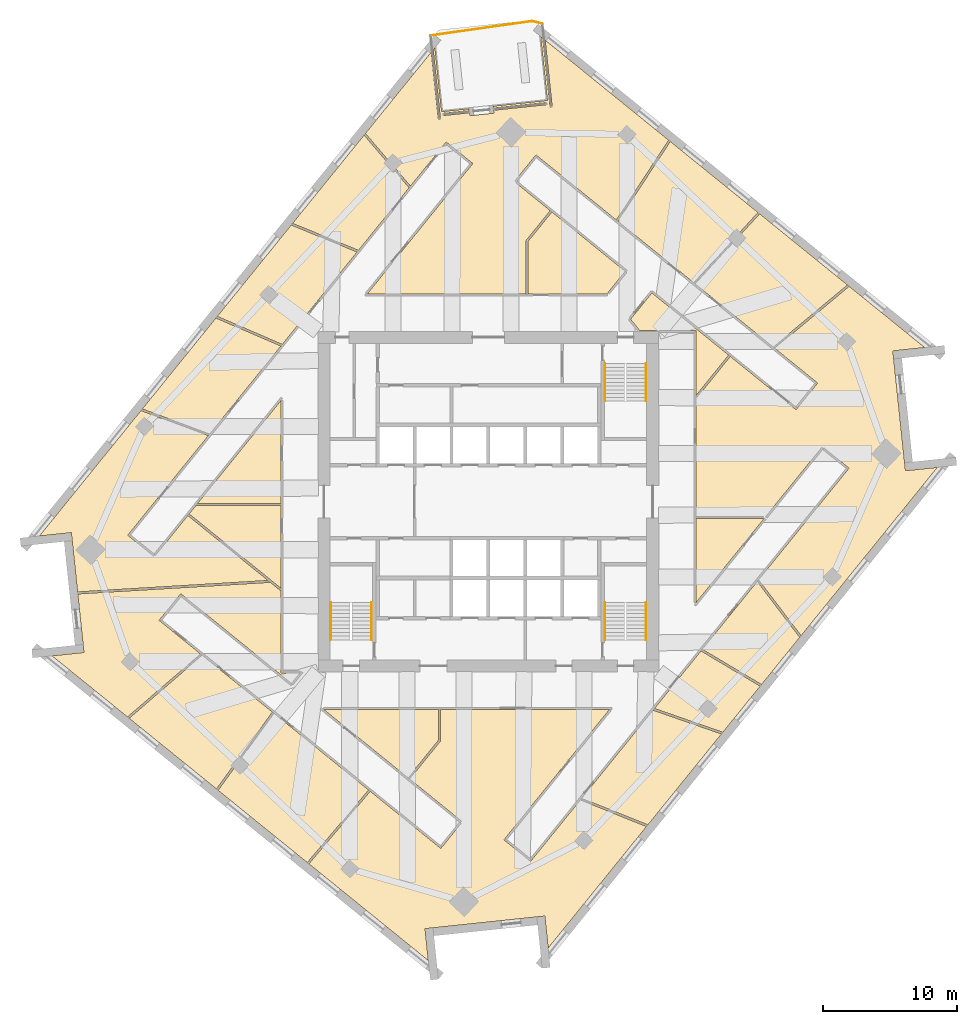
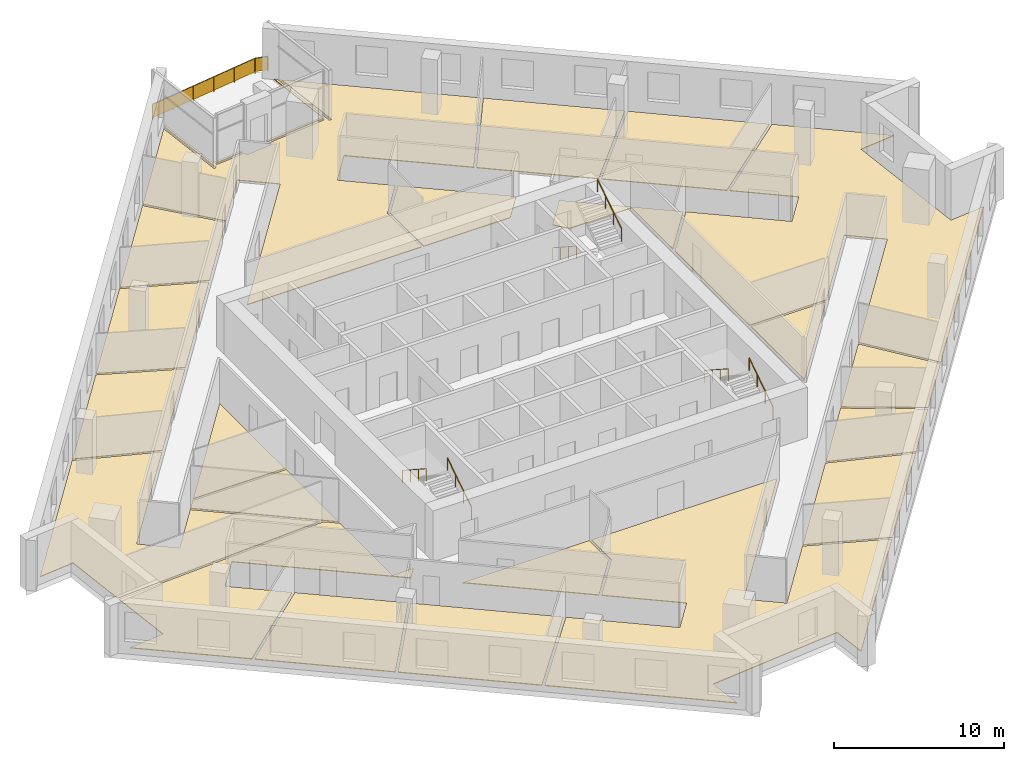
# One storey, part 13 of 14: 21 coverings, 7 railings.
"""IFC4 building model written with IfcOpenShell, lengths in metres."""

from ifc_helpers import new_model, si_unit, direction, frame, origin, origin_2d, place, context, subcontext, project, spatial, polyline, rectangle, circle, outline, extrude, material, layer, layer_set, type_object, element, save


model = new_model("IFC4")

# Units and contexts
model_context = context("Model", 3, precision=1e-05, world=origin(), true_north=direction((0.0, 1.0)))
body_context = subcontext(model_context, "Body", "Model", "MODEL_VIEW")
ifc_project = project(units=[si_unit("LENGTHUNIT", "METRE"), si_unit("AREAUNIT", "SQUARE_METRE"), si_unit("VOLUMEUNIT", "CUBIC_METRE"), si_unit("PLANEANGLEUNIT", "RADIAN"), si_unit("MASSUNIT", "GRAM", prefix="KILO")], contexts=[model_context])

# Site, building, storey
site_placement = place(None, origin())
site = spatial("IfcSite", under=ifc_project, at=site_placement, CompositionType="ELEMENT")
building_placement = place(site_placement, origin())
building = spatial("IfcBuilding", under=site, at=building_placement, Name="Dilmun Exchange Tower", CompositionType="ELEMENT")
storey_placement = place(building_placement, frame((0.0, 0.0, 233.300048828125)))
storey = spatial("IfcBuildingStorey", under=building, at=storey_placement, Name="L55", CompositionType="ELEMENT", Elevation=233.300048828125)

# Coverings
ifc_material_1 = material(Name="Carpet floor finish 50")
ifc_layer_1 = layer(ifc_material_1, 0.050048828125)
ifc_layer_set_1 = layer_set([ifc_layer_1], Name="Carpet floor finish 50")
covering_type_1 = type_object("IfcCoveringType", Name="Carpet floor finish 50", PredefinedType="FLOORING", material=ifc_layer_set_1)
covering_1_placement = place(storey_placement, origin())
element("IfcCovering", 1, at=covering_1_placement, inside=storey, type_object=covering_type_1, Name="Carpet floor finish 50 Business centre 1", PredefinedType="FLOORING", context=body_context, shape_type="SweptSolid", body=[
    extrude(outline(polyline([(-22.40185546875, -1.026611328125), (-16.419189453125, -5.871337890625), (-30.6181640625, -6.72509765625), (-31.01953125, -2.905029296875), (-31.01953125, -2.90478515625), (-31.01953125, -2.90478515625), (-31.08251953125, -2.30810546875), (-31.08251953125, -2.307861328125), (-31.08251953125, -2.3076171875), (-31.08251953125, -2.3076171875), (-31.08251953125, -2.307373046875), (-31.082763671875, -2.30712890625), (-31.082763671875, -2.306884765625), (-31.0830078125, -2.306884765625), (-31.0830078125, -2.306640625), (-31.083251953125, -2.306640625), (-31.08349609375, -2.306396484375), (-31.08349609375, -2.306396484375), (-31.083740234375, -2.306396484375), (-31.083984375, -2.306396484375), (-31.084228515625, -2.306396484375), (-31.08447265625, -2.30615234375), (-31.084716796875, -2.306396484375), (-33.464599609375, -2.556396484375), (-25.89453125, 6.791748046875), (-20.8671875, 4.920654296875), (-26.87451171875, -2.497802734375), (-24.892822265625, -4.102783203125), (-22.40185546875, -1.026611328125)])), origin(), (0.0, 0.0, 1.0), 0.050048828125),
])
covering_2_placement = place(storey_placement, origin())
element("IfcCovering", 2, at=covering_2_placement, inside=storey, type_object=covering_type_1, Name="Carpet floor finish 50 Club dining room", PredefinedType="FLOORING", context=body_context, shape_type="SweptSolid", body=[
    extrude(outline(polyline([(-16.24658203125, -6.01123046875), (-15.47509765625, -6.635986328125), (-15.47509765625, -12.774658203125), (-14.048095703125, -12.77490234375), (-14.674072265625, -13.548095703125), (-22.93310546875, -6.860107421875), (-24.53759765625, -8.841796875), (-21.4453125, -11.34619140625), (-26.896240234375, -16.048095703125), (-32.525634765625, -11.489501953125), (-30.1455078125, -11.2392578125), (-30.1455078125, -11.2392578125), (-30.145263671875, -11.2392578125), (-30.14501953125, -11.239013671875), (-30.14501953125, -11.239013671875), (-30.144775390625, -11.239013671875), (-30.14453125, -11.23876953125), (-30.144287109375, -11.23876953125), (-30.144287109375, -11.238525390625), (-30.144287109375, -11.23828125), (-30.14404296875, -11.23828125), (-30.14404296875, -11.238037109375), (-30.143798828125, -11.23779296875), (-30.143798828125, -11.237548828125), (-30.143798828125, -11.2373046875), (-30.143798828125, -11.2373046875), (-30.143798828125, -11.237060546875), (-30.20654296875, -10.640625), (-30.20654296875, -10.640380859375), (-30.20654296875, -10.640380859375), (-30.602294921875, -6.87451171875), (-16.24658203125, -6.01123046875)])), origin(), (0.0, 0.0, 1.0), 0.050048828125),
])
covering_3_placement = place(storey_placement, origin())
element("IfcCovering", 3, at=covering_3_placement, inside=storey, type_object=covering_type_1, Name="Carpet floor finish 50 Serviced office 1", PredefinedType="FLOORING", context=body_context, shape_type="SweptSolid", body=[
    extrude(outline(polyline([(-20.2666015625, -21.41650390625), (-26.77783203125, -16.143798828125), (-21.32666015625, -11.44189453125), (-16.093505859375, -15.679931640625), (-20.2666015625, -21.41650390625)])), origin(), (0.0, 0.0, 1.0), 0.050048828125),
])
covering_4_placement = place(storey_placement, origin())
element("IfcCovering", 4, at=covering_4_placement, inside=storey, type_object=covering_type_1, Name="Carpet floor finish 50 Serviced office 2", PredefinedType="FLOORING", context=body_context, shape_type="SweptSolid", body=[
    extrude(outline(polyline([(-20.767578125, 5.043701171875), (-25.794921875, 6.914794921875), (-20.307861328125, 13.69091796875), (-15.459228515625, 11.5986328125), (-20.767578125, 5.043701171875)])), origin(), (0.0, 0.0, 1.0), 0.050048828125),
])
covering_5_placement = place(storey_placement, origin())
element("IfcCovering", 5, at=covering_5_placement, inside=storey, type_object=covering_type_1, Name="Carpet floor finish 50 Serviced office 3", PredefinedType="FLOORING", context=body_context, shape_type="SweptSolid", body=[
    extrude(outline(polyline([(-15.47509765625, -6.443115234375), (-22.3076171875, -0.91015625), (-21.80615234375, -0.291015625), (-15.47509765625, -0.291015625), (-15.47509765625, -6.443115234375)])), origin(), (0.0, 0.0, 1.0), 0.050048828125),
])
covering_6_placement = place(storey_placement, origin())
element("IfcCovering", 6, at=covering_6_placement, inside=storey, type_object=covering_type_1, Name="Carpet floor finish 50 Serviced office 4", PredefinedType="FLOORING", context=body_context, shape_type="SweptSolid", body=[
    extrude(outline(polyline([(-15.361328125, 11.7197265625), (-20.209716796875, 13.811767578125), (-14.694091796875, 20.623046875), (-9.782470703125, 18.60888671875), (-15.361328125, 11.7197265625)])), origin(), (0.0, 0.0, 1.0), 0.050048828125),
])
covering_7_placement = place(storey_placement, origin())
element("IfcCovering", 7, at=covering_7_placement, inside=storey, type_object=covering_type_1, Name="Carpet floor finish 50 Meeting room 1", PredefinedType="FLOORING", context=body_context, shape_type="SweptSolid", body=[
    extrude(outline(polyline([(-15.976806640625, -15.7744140625), (-8.922607421875, -21.486572265625), (-13.497802734375, -26.897705078125), (-20.14990234375, -21.510986328125), (-15.976806640625, -15.7744140625)])), origin(), (0.0, 0.0, 1.0), 0.050048828125),
])
covering_8_placement = place(storey_placement, origin())
element("IfcCovering", 8, at=covering_8_placement, inside=storey, type_object=covering_type_1, Name="Carpet floor finish 50 Serviced office 5", PredefinedType="FLOORING", context=body_context, shape_type="SweptSolid", body=[
    extrude(outline(polyline([(-3.705810546875, -17.7626953125), (-5.98828125, -20.58154296875), (-12.29443359375, -15.47509765625), (-3.705810546875, -15.47509765625), (-3.705810546875, -17.7626953125)])), origin(), (0.0, 0.0, 1.0), 0.050048828125),
])
covering_9_placement = place(storey_placement, origin())
element("IfcCovering", 9, at=covering_9_placement, inside=storey, type_object=covering_type_1, Name="Carpet floor finish 50 Members lounge", PredefinedType="FLOORING", context=body_context, shape_type="SweptSolid", body=[
    extrude(outline(polyline([(-3.5556640625, -15.47509765625), (9.0390625, -15.47509765625), (1.16259765625, -25.201904296875), (3.144287109375, -26.806640625), (6.8515625, -22.228271484375), (11.7890625, -24.21044921875), (4.45703125, -33.264892578125), (4.206787109375, -30.884765625), (4.206787109375, -30.884521484375), (4.206787109375, -30.884521484375), (4.206787109375, -30.88427734375), (4.206787109375, -30.884033203125), (4.20654296875, -30.8837890625), (4.20654296875, -30.8837890625), (4.206298828125, -30.883544921875), (4.206298828125, -30.883544921875), (4.2060546875, -30.88330078125), (4.205810546875, -30.88330078125), (4.205810546875, -30.88330078125), (4.20556640625, -30.883056640625), (4.205322265625, -30.883056640625), (4.205078125, -30.883056640625), (4.204833984375, -30.883056640625), (4.20458984375, -30.883056640625), (3.60791015625, -30.94580078125), (-4.127685546875, -31.7587890625), (-4.724365234375, -31.821533203125), (-4.724609375, -31.821533203125), (-4.724609375, -31.821533203125), (-4.724853515625, -31.821533203125), (-4.72509765625, -31.82177734375), (-4.72509765625, -31.82177734375), (-4.725341796875, -31.822021484375), (-4.7255859375, -31.822021484375), (-4.7255859375, -31.822265625), (-4.7255859375, -31.822509765625), (-4.725830078125, -31.822509765625), (-4.725830078125, -31.82275390625), (-4.72607421875, -31.822998046875), (-4.72607421875, -31.822998046875), (-4.72607421875, -31.8232421875), (-4.72607421875, -31.823486328125), (-4.72607421875, -31.82373046875), (-4.475830078125, -34.20361328125), (-13.38134765625, -26.9921875), (-8.80615234375, -21.5810546875), (-3.546630859375, -25.840087890625), (-1.94189453125, -23.8583984375), (-5.87158203125, -20.676025390625), (-3.5556640625, -17.81591796875), (-3.5556640625, -15.47509765625)])), origin(), (0.0, 0.0, 1.0), 0.050048828125),
])
covering_10_placement = place(storey_placement, origin())
element("IfcCovering", 10, at=covering_10_placement, inside=storey, type_object=covering_type_1, Name="Carpet floor finish 50 Garden lounge", PredefinedType="FLOORING", context=body_context, shape_type="SweptSolid", body=[
    extrude(outline(polyline([(-3.48681640625, 29.0751953125), (-1.43603515625, 29.290771484375), (-1.421142578125, 29.1484375), (-3.397216796875, 28.94091796875), (-3.3974609375, 28.940673828125), (-3.397705078125, 28.940673828125), (-3.397705078125, 28.940673828125), (-3.39794921875, 28.9404296875), (-3.398193359375, 28.9404296875), (-3.398193359375, 28.940185546875), (-3.3984375, 28.940185546875), (-3.398681640625, 28.93994140625), (-3.398681640625, 28.93994140625), (-3.398681640625, 28.939697265625), (-3.39892578125, 28.939453125), (-3.39892578125, 28.939208984375), (-3.39892578125, 28.939208984375), (-3.399169921875, 28.93896484375), (-3.399169921875, 28.938720703125), (-3.399169921875, 28.938720703125), (-3.38232421875, 28.779296875), (-3.38232421875, 28.779296875), (-3.382080078125, 28.779052734375), (-3.382080078125, 28.77880859375), (-3.382080078125, 28.77880859375), (-3.382080078125, 28.778564453125), (-3.3818359375, 28.7783203125), (-3.381591796875, 28.7783203125), (-3.381591796875, 28.778076171875), (-3.38134765625, 28.778076171875), (-3.38134765625, 28.77783203125), (-3.381103515625, 28.77783203125), (-3.380859375, 28.777587890625), (-3.380615234375, 28.777587890625), (-3.380615234375, 28.777587890625), (-3.38037109375, 28.777587890625), (-3.380126953125, 28.777587890625), (-1.40380859375, 28.9853515625), (-1.381103515625, 28.7685546875), (-1.381103515625, 28.768310546875), (-1.381103515625, 28.768310546875), (-1.381103515625, 28.76806640625), (-1.380859375, 28.767822265625), (-1.380859375, 28.767578125), (-1.380615234375, 28.767578125), (-1.380615234375, 28.767333984375), (-1.38037109375, 28.76708984375), (-1.380126953125, 28.76708984375), (-1.380126953125, 28.76708984375), (-1.3798828125, 28.766845703125), (-1.379638671875, 28.766845703125), (-1.37939453125, 28.766845703125), (-1.37939453125, 28.766845703125), (-1.379150390625, 28.7666015625), (-1.37890625, 28.766845703125), (0.4111328125, 28.955078125), (0.411376953125, 28.955078125), (0.41162109375, 28.955078125), (0.41162109375, 28.955078125), (0.411865234375, 28.955078125), (0.412109375, 28.955322265625), (0.412109375, 28.955322265625), (0.412353515625, 28.95556640625), (0.41259765625, 28.955810546875), (0.41259765625, 28.955810546875), (0.41259765625, 28.9560546875), (0.412841796875, 28.956298828125), (0.412841796875, 28.956298828125), (0.412841796875, 28.95654296875), (0.4130859375, 28.956787109375), (0.4130859375, 28.95703125), (0.4130859375, 28.957275390625), (0.39013671875, 29.174072265625), (4.35546875, 29.5908203125), (4.355712890625, 29.5908203125), (4.355712890625, 29.5908203125), (4.35595703125, 29.5908203125), (4.356201171875, 29.591064453125), (4.356201171875, 29.591064453125), (4.3564453125, 29.59130859375), (4.356689453125, 29.59130859375), (4.356689453125, 29.591552734375), (4.356689453125, 29.591552734375), (4.35693359375, 29.591796875), (4.35693359375, 29.592041015625), (4.357177734375, 29.59228515625), (4.357177734375, 29.59228515625), (4.357177734375, 29.592529296875), (4.357177734375, 29.5927734375), (4.357177734375, 29.593017578125), (4.34033203125, 29.752197265625), (4.34033203125, 29.752197265625), (4.34033203125, 29.75244140625), (4.34033203125, 29.752685546875), (4.340087890625, 29.752685546875), (4.340087890625, 29.7529296875), (4.340087890625, 29.753173828125), (4.33984375, 29.75341796875), (4.339599609375, 29.75341796875), (4.339599609375, 29.75341796875), (4.33935546875, 29.753662109375), (4.339111328125, 29.753662109375), (4.339111328125, 29.75390625), (4.3388671875, 29.75390625), (4.338623046875, 29.75390625), (4.33837890625, 29.75390625), (4.338134765625, 29.75390625), (0.373046875, 29.337158203125), (0.358154296875, 29.479248046875), (4.39794921875, 29.90380859375), (3.896728515625, 34.672607421875), (4.0537109375, 34.54541015625), (4.594970703125, 29.396728515625), (4.59521484375, 29.396484375), (4.59521484375, 29.396240234375), (4.59521484375, 29.396240234375), (4.59521484375, 29.39599609375), (4.595458984375, 29.395751953125), (4.595458984375, 29.395751953125), (4.595703125, 29.3955078125), (4.595703125, 29.3955078125), (4.595947265625, 29.395263671875), (4.59619140625, 29.395263671875), (4.59619140625, 29.39501953125), (4.596435546875, 29.39501953125), (4.5966796875, 29.39501953125), (4.596923828125, 29.39501953125), (4.59716796875, 29.39501953125), (4.59716796875, 29.39501953125), (4.75634765625, 29.41162109375), (4.756591796875, 29.41162109375), (4.7568359375, 29.411865234375), (4.7568359375, 29.411865234375), (4.757080078125, 29.411865234375), (4.75732421875, 29.412109375), (4.75732421875, 29.412109375), (4.757568359375, 29.412353515625), (4.7578125, 29.412353515625), (4.7578125, 29.41259765625), (4.7578125, 29.41259765625), (4.758056640625, 29.412841796875), (4.758056640625, 29.4130859375), (4.758056640625, 29.413330078125), (4.75830078125, 29.41357421875), (4.75830078125, 29.413818359375), (4.75830078125, 29.413818359375), (4.234130859375, 34.3994140625), (13.43701171875, 26.947021484375), (9.533203125, 20.9921875), (3.546630859375, 25.840087890625), (1.94189453125, 23.8583984375), (4.615966796875, 21.69287109375), (2.7998046875, 19.4501953125), (2.7998046875, 15.47509765625), (-9.0390625, 15.47509765625), (-1.16259765625, 25.201904296875), (-3.144287109375, 26.806640625), (-5.808349609375, 23.5166015625), (-9.16943359375, 27.445556640625), (-4.26123046875, 33.506591796875), (-3.7373046875, 28.52099609375), (-3.7373046875, 28.520751953125), (-3.7373046875, 28.5205078125), (-3.737060546875, 28.5205078125), (-3.737060546875, 28.520263671875), (-3.73681640625, 28.52001953125), (-3.73681640625, 28.52001953125), (-3.73681640625, 28.519775390625), (-3.736572265625, 28.51953125), (-3.736328125, 28.51953125), (-3.736083984375, 28.519287109375), (-3.736083984375, 28.519287109375), (-3.73583984375, 28.519287109375), (-3.735595703125, 28.519287109375), (-3.7353515625, 28.51904296875), (-3.735107421875, 28.51904296875), (-3.735107421875, 28.51904296875), (-3.575927734375, 28.535888671875), (-3.57568359375, 28.535888671875), (-3.575439453125, 28.535888671875), (-3.575439453125, 28.535888671875), (-3.5751953125, 28.5361328125), (-3.574951171875, 28.5361328125), (-3.574951171875, 28.536376953125), (-3.57470703125, 28.53662109375), (-3.57470703125, 28.53662109375), (-3.574462890625, 28.536865234375), (-3.574462890625, 28.536865234375), (-3.57421875, 28.537109375), (-3.57421875, 28.537353515625), (-3.57421875, 28.53759765625), (-3.57421875, 28.53759765625), (-3.57421875, 28.537841796875), (-3.57421875, 28.5380859375), (-4.115478515625, 33.686767578125), (-3.988037109375, 33.843994140625), (-3.48681640625, 29.0751953125)])), origin(), (0.0, 0.0, 1.0), 0.050048828125),
])
covering_11_placement = place(storey_placement, origin())
element("IfcCovering", 11, at=covering_11_placement, inside=storey, type_object=covering_type_1, Name="Carpet floor finish 50 Meeting room 2", PredefinedType="FLOORING", context=body_context, shape_type="SweptSolid", body=[
    extrude(outline(polyline([(8.828369140625, 15.47509765625), (2.94970703125, 15.47509765625), (2.94970703125, 19.39697265625), (4.732421875, 21.598388671875), (10.200927734375, 17.170166015625), (8.828369140625, 15.47509765625)])), origin(), (0.0, 0.0, 1.0), 0.050048828125),
])
covering_12_placement = place(storey_placement, origin())
element("IfcCovering", 12, at=covering_12_placement, inside=storey, type_object=covering_type_1, Name="Carpet floor finish 50 Business centre 2", PredefinedType="FLOORING", context=body_context, shape_type="SweptSolid", body=[
    extrude(outline(polyline([(12.26904296875, -15.538330078125), (17.37548828125, -17.31201171875), (11.887939453125, -24.08837890625), (6.950439453125, -22.106201171875), (12.26904296875, -15.538330078125)])), origin(), (0.0, 0.0, 1.0), 0.050048828125),
])
covering_13_placement = place(storey_placement, origin())
element("IfcCovering", 13, at=covering_13_placement, inside=storey, type_object=covering_type_1, Name="Carpet floor finish 50 Members library 1", PredefinedType="FLOORING", context=body_context, shape_type="SweptSolid", body=[
    extrude(outline(polyline([(9.650390625, 20.897216796875), (13.55419921875, 26.852294921875), (20.097900390625, 21.552978515625), (15.302001953125, 16.32080078125), (9.650390625, 20.897216796875)])), origin(), (0.0, 0.0, 1.0), 0.050048828125),
])
covering_14_placement = place(storey_placement, origin())
element("IfcCovering", 14, at=covering_14_placement, inside=storey, type_object=covering_type_1, Name="Carpet floor finish 50 Serviced office 6", PredefinedType="FLOORING", context=body_context, shape_type="SweptSolid", body=[
    extrude(outline(polyline([(12.369384765625, -15.414306640625), (15.8466796875, -11.1201171875), (20.26123046875, -13.748291015625), (17.475830078125, -17.18798828125), (12.369384765625, -15.414306640625)])), origin(), (0.0, 0.0, 1.0), 0.050048828125),
])
covering_15_placement = place(storey_placement, origin())
element("IfcCovering", 15, at=covering_15_placement, inside=storey, type_object=covering_type_1, Name="Carpet floor finish 50 Members library 2", PredefinedType="FLOORING", context=body_context, shape_type="SweptSolid", body=[
    extrude(outline(polyline([(20.037109375, -5.945556640625), (23.20751953125, -10.110107421875), (20.356689453125, -13.63037109375), (15.942138671875, -11.00244140625), (20.037109375, -5.945556640625)])), origin(), (0.0, 0.0, 1.0), 0.050048828125),
])
covering_16_placement = place(storey_placement, origin())
element("IfcCovering", 16, at=covering_16_placement, inside=storey, type_object=covering_type_1, Name="Carpet floor finish 50 Serviced office 7", PredefinedType="FLOORING", context=body_context, shape_type="SweptSolid", body=[
    extrude(outline(polyline([(15.418701171875, 16.226318359375), (20.21484375, 21.45849609375), (26.769287109375, 16.15087890625), (21.2197265625, 11.528564453125), (15.418701171875, 16.226318359375)])), origin(), (0.0, 0.0, 1.0), 0.050048828125),
])
covering_17_placement = place(storey_placement, origin())
element("IfcCovering", 17, at=covering_17_placement, inside=storey, type_object=covering_type_1, Name="Carpet floor finish 50 Co-working hall", PredefinedType="FLOORING", context=body_context, shape_type="SweptSolid", body=[
    extrude(outline(polyline([(22.93310546875, 6.85986328125), (24.537841796875, 8.841552734375), (21.338623046875, 11.432373046875), (26.88818359375, 16.054443359375), (32.525634765625, 11.489501953125), (30.1455078125, 11.2392578125), (30.1455078125, 11.2392578125), (30.145263671875, 11.2392578125), (30.14501953125, 11.239013671875), (30.14501953125, 11.239013671875), (30.144775390625, 11.239013671875), (30.14453125, 11.23876953125), (30.144287109375, 11.23876953125), (30.144287109375, 11.238525390625), (30.144287109375, 11.23828125), (30.14404296875, 11.23828125), (30.14404296875, 11.238037109375), (30.143798828125, 11.23779296875), (30.143798828125, 11.237548828125), (30.143798828125, 11.2373046875), (30.143798828125, 11.2373046875), (30.143798828125, 11.237060546875), (30.20654296875, 10.640625), (30.20654296875, 10.640380859375), (30.20654296875, 10.640380859375), (31.01953125, 2.905029296875), (31.01953125, 2.90478515625), (31.01953125, 2.90478515625), (31.08251953125, 2.30810546875), (31.08251953125, 2.307861328125), (31.08251953125, 2.3076171875), (31.08251953125, 2.3076171875), (31.08251953125, 2.307373046875), (31.082763671875, 2.30712890625), (31.082763671875, 2.306884765625), (31.0830078125, 2.306884765625), (31.0830078125, 2.306640625), (31.083251953125, 2.306640625), (31.08349609375, 2.306396484375), (31.08349609375, 2.306396484375), (31.083740234375, 2.306396484375), (31.083984375, 2.306396484375), (31.084228515625, 2.306396484375), (31.08447265625, 2.30615234375), (31.084716796875, 2.306396484375), (33.464599609375, 2.556396484375), (23.3046875, -9.989990234375), (20.13427734375, -5.82568359375), (26.87451171875, 2.497802734375), (24.892822265625, 4.102783203125), (20.684814453125, -1.09375), (15.47509765625, -1.09375), (15.47509765625, 7.67529296875), (18.030029296875, 10.830322265625), (22.93310546875, 6.85986328125)])), origin(), (0.0, 0.0, 1.0), 0.050048828125),
])

# Railings
ifc_material_2 = material(Name="Stainless steel", Category="steel")
railing_type_1 = type_object("IfcRailingType", Name="Stair handrail 900", PredefinedType="HANDRAIL", material=ifc_material_2)
railing_1_placement = place(storey_placement, frame((8.699951171875, 10.300048828125, 0.181884765625)))
element("IfcRailing", 18, at=railing_1_placement, inside=storey, type_object=railing_type_1, Name="L55 ST1 stair handrail 1", PredefinedType="HANDRAIL", context=body_context, shape_type="SweptSolid", body=[
    extrude(circle(Radius=0.02392578125, at=origin_2d()), frame((0.0, 0.0, 0.8759765625), z_axis=(0.0, -0.838705829183, 0.544584733623), x_axis=(1.0, 0.0, 0.0)), (0.0, 0.0, 1.0), 3.338623046875),
    extrude(circle(Radius=0.02099609375, at=origin_2d()), origin(), (0.0, 0.0, 1.0), 0.851806640625),
    extrude(circle(Radius=0.02099609375, at=origin_2d()), frame((0.0, -0.933349609375, 0.60595703125)), (0.0, 0.0, 1.0), 0.851806640625),
    extrude(circle(Radius=0.02099609375, at=origin_2d()), frame((0.0, -1.86669921875, 1.212158203125)), (0.0, 0.0, 1.0), 0.851806640625),
    extrude(circle(Radius=0.02099609375, at=origin_2d()), frame((0.0, -2.800048828125, 1.818115234375)), (0.0, 0.0, 1.0), 0.851806640625),
])
for number, where, name in (
    (19, (11.75, 7.5, 2.181884765625), "L55 ST1 stair handrail 2"),
    (20, (-8.699951171875, -10.300048828125, 0.181884765625), "L55 ST2 stair handrail 1"),
):
    element("IfcRailing", number, at=place(storey_placement, frame(where)), inside=storey, type_object=railing_type_1, Name=name, PredefinedType="HANDRAIL", context=body_context, shape_type="SweptSolid", body=[
        extrude(circle(Radius=0.02392578125, at=origin_2d()), frame((0.0, 0.0, 0.8759765625), z_axis=(0.0, 0.838705829183, 0.544584733623), x_axis=(-1.0, 0.0, 0.0)), (0.0, 0.0, 1.0), 3.338623046875),
        extrude(circle(Radius=0.02099609375, at=origin_2d()), origin(), (0.0, 0.0, 1.0), 0.851806640625),
        extrude(circle(Radius=0.02099609375, at=origin_2d()), frame((0.0, 0.933349609375, 0.60595703125)), (0.0, 0.0, 1.0), 0.851806640625),
        extrude(circle(Radius=0.02099609375, at=origin_2d()), frame((0.0, 1.86669921875, 1.212158203125)), (0.0, 0.0, 1.0), 0.851806640625),
        extrude(circle(Radius=0.02099609375, at=origin_2d()), frame((0.0, 2.800048828125, 1.818115234375)), (0.0, 0.0, 1.0), 0.851806640625),
    ])
railing_2_placement = place(storey_placement, frame((-11.75, -7.5, 2.181884765625)))
element("IfcRailing", 21, at=railing_2_placement, inside=storey, type_object=railing_type_1, Name="L55 ST2 stair handrail 2", PredefinedType="HANDRAIL", context=body_context, shape_type="SweptSolid", body=[
    extrude(circle(Radius=0.02392578125, at=origin_2d()), frame((0.0, 0.0, 0.8759765625), z_axis=(0.0, -0.838705829183, 0.544584733623), x_axis=(1.0, 0.0, 0.0)), (0.0, 0.0, 1.0), 3.338623046875),
    extrude(circle(Radius=0.02099609375, at=origin_2d()), origin(), (0.0, 0.0, 1.0), 0.851806640625),
    extrude(circle(Radius=0.02099609375, at=origin_2d()), frame((0.0, -0.933349609375, 0.60595703125)), (0.0, 0.0, 1.0), 0.851806640625),
    extrude(circle(Radius=0.02099609375, at=origin_2d()), frame((0.0, -1.86669921875, 1.212158203125)), (0.0, 0.0, 1.0), 0.851806640625),
    extrude(circle(Radius=0.02099609375, at=origin_2d()), frame((0.0, -2.800048828125, 1.818115234375)), (0.0, 0.0, 1.0), 0.851806640625),
])
railing_3_placement = place(storey_placement, frame((11.75, -10.300048828125, 0.181884765625)))
element("IfcRailing", 22, at=railing_3_placement, inside=storey, type_object=railing_type_1, Name="L55 ST3 stair handrail 1", PredefinedType="HANDRAIL", context=body_context, shape_type="SweptSolid", body=[
    extrude(circle(Radius=0.02392578125, at=origin_2d()), frame((0.0, 0.0, 0.8759765625), z_axis=(0.0, 0.838705829183, 0.544584733623), x_axis=(-1.0, 0.0, 0.0)), (0.0, 0.0, 1.0), 3.338623046875),
    extrude(circle(Radius=0.02099609375, at=origin_2d()), origin(), (0.0, 0.0, 1.0), 0.851806640625),
    extrude(circle(Radius=0.02099609375, at=origin_2d()), frame((0.0, 0.933349609375, 0.60595703125)), (0.0, 0.0, 1.0), 0.851806640625),
    extrude(circle(Radius=0.02099609375, at=origin_2d()), frame((0.0, 1.86669921875, 1.212158203125)), (0.0, 0.0, 1.0), 0.851806640625),
    extrude(circle(Radius=0.02099609375, at=origin_2d()), frame((0.0, 2.800048828125, 1.818115234375)), (0.0, 0.0, 1.0), 0.851806640625),
])
railing_4_placement = place(storey_placement, frame((8.699951171875, -7.5, 2.181884765625)))
element("IfcRailing", 23, at=railing_4_placement, inside=storey, type_object=railing_type_1, Name="L55 ST3 stair handrail 2", PredefinedType="HANDRAIL", context=body_context, shape_type="SweptSolid", body=[
    extrude(circle(Radius=0.02392578125, at=origin_2d()), frame((0.0, 0.0, 0.8759765625), z_axis=(0.0, -0.838705829183, 0.544584733623), x_axis=(1.0, 0.0, 0.0)), (0.0, 0.0, 1.0), 3.338623046875),
    extrude(circle(Radius=0.02099609375, at=origin_2d()), origin(), (0.0, 0.0, 1.0), 0.851806640625),
    extrude(circle(Radius=0.02099609375, at=origin_2d()), frame((0.0, -0.933349609375, 0.60595703125)), (0.0, 0.0, 1.0), 0.851806640625),
    extrude(circle(Radius=0.02099609375, at=origin_2d()), frame((0.0, -1.86669921875, 1.212158203125)), (0.0, 0.0, 1.0), 0.851806640625),
    extrude(circle(Radius=0.02099609375, at=origin_2d()), frame((0.0, -2.800048828125, 1.818115234375)), (0.0, 0.0, 1.0), 0.851806640625),
])

# Covering
ifc_material_3 = material(Name="Stone floor finish 50", Category="masonry")
ifc_layer_2 = layer(ifc_material_3, 0.050048828125)
ifc_layer_set_2 = layer_set([ifc_layer_2], Name="Stone floor finish 50")
covering_type_2 = type_object("IfcCoveringType", Name="Stone floor finish 50", PredefinedType="FLOORING", material=ifc_layer_set_2)
covering_18_placement = place(storey_placement, origin())
element("IfcCovering", 24, at=covering_18_placement, inside=storey, type_object=covering_type_2, Name="Stone floor finish 50 Reception", PredefinedType="FLOORING", context=body_context, shape_type="SweptSolid", body=[
    extrude(outline(polyline([(-14.595703125, 20.744873046875), (-9.265380859375, 27.3271484375), (-5.904296875, 23.39794921875), (-9.68408203125, 18.730712890625), (-14.595703125, 20.744873046875)])), origin(), (0.0, 0.0, 1.0), 0.050048828125),
])

# Railing
railing_type_2 = type_object("IfcRailingType", Name="Terrace guard 1100 stainless steel", PredefinedType="GUARDRAIL", material=ifc_material_2)
railing_5_placement = place(storey_placement, frame((-4.30859375, 34.74169921875, 0.0)))
element("IfcRailing", 25, at=railing_5_placement, inside=storey, type_object=railing_type_2, Name="Terrace guard 1", PredefinedType="GUARDRAIL", context=body_context, shape_type="SweptSolid", body=[
    extrude(circle(Radius=0.02392578125, at=origin_2d()), frame((0.0, 0.0, 1.076171875), z_axis=(0.990097259315, 0.140383108307, 0.0), x_axis=(-0.140383108307, 0.990097259315, 0.0)), (0.0, 0.0, 1.0), 7.63818359375),
    extrude(rectangle(XDim=0.011962890625, YDim=0.951904296875, at=origin_2d()), frame((0.0, 0.0, 0.576171875), z_axis=(0.990097259315, 0.140383108307, 0.0), x_axis=(-0.140383108307, 0.990097259315, 0.0)), (0.0, 0.0, 1.0), 7.63818359375),
    extrude(circle(Radius=0.02392578125, at=origin_2d()), frame((7.5625, 1.072265625, 1.076171875), z_axis=(0.9689192778, -0.247377107082, 0.0), x_axis=(0.247377107082, 0.9689192778, 0.0)), (0.0, 0.0, 1.0), 0.79443359375),
    extrude(rectangle(XDim=0.011962890625, YDim=0.951904296875, at=origin_2d()), frame((7.5625, 1.072265625, 0.576171875), z_axis=(0.9689192778, -0.247377107082, 0.0), x_axis=(0.247377107082, 0.9689192778, 0.0)), (0.0, 0.0, 1.0), 0.79443359375),
    extrude(circle(Radius=0.02099609375, at=origin_2d()), origin(), (0.0, 0.0, 1.0), 1.052001953125),
    extrude(circle(Radius=0.02099609375, at=origin_2d()), frame((1.512451171875, 0.21435546875, 0.0)), (0.0, 0.0, 1.0), 1.052001953125),
    extrude(circle(Radius=0.02099609375, at=origin_2d()), frame((3.02490234375, 0.428955078125, 0.0)), (0.0, 0.0, 1.0), 1.052001953125),
    extrude(circle(Radius=0.02099609375, at=origin_2d()), frame((4.53759765625, 0.643310546875, 0.0)), (0.0, 0.0, 1.0), 1.052001953125),
    extrude(circle(Radius=0.02099609375, at=origin_2d()), frame((6.050048828125, 0.85791015625, 0.0)), (0.0, 0.0, 1.0), 1.052001953125),
    extrude(circle(Radius=0.02099609375, at=origin_2d()), frame((7.5625, 1.072265625, 0.0)), (0.0, 0.0, 1.0), 1.052001953125),
    extrude(circle(Radius=0.02099609375, at=origin_2d()), frame((8.332275390625, 0.875732421875, 0.0)), (0.0, 0.0, 1.0), 1.052001953125),
])

# Coverings
ifc_material_4 = material(Name="Tile floor finish 50")
ifc_layer_3 = layer(ifc_material_4, 0.050048828125)
ifc_layer_set_3 = layer_set([ifc_layer_3], Name="Tile floor finish 50")
covering_type_3 = type_object("IfcCoveringType", Name="Tile floor finish 50", PredefinedType="FLOORING", material=ifc_layer_set_3)
covering_19_placement = place(storey_placement, origin())
element("IfcCovering", 26, at=covering_19_placement, inside=storey, type_object=covering_type_3, Name="Tile floor finish 50 Pantry 1", PredefinedType="FLOORING", context=body_context, shape_type="SweptSolid", body=[
    extrude(outline(polyline([(-15.47509765625, 7.52734375), (-15.47509765625, -0.140869140625), (-21.684814453125, -0.140869140625), (-15.47509765625, 7.52734375)])), origin(), (0.0, 0.0, 1.0), 0.050048828125),
])
covering_20_placement = place(storey_placement, origin())
element("IfcCovering", 27, at=covering_20_placement, inside=storey, type_object=covering_type_3, Name="Tile floor finish 50 Pantry 2", PredefinedType="FLOORING", context=body_context, shape_type="SweptSolid", body=[
    extrude(outline(polyline([(10.59130859375, 13.60009765625), (12.182861328125, 15.5654296875), (17.913330078125, 10.9248046875), (15.47509765625, 7.913818359375), (15.47509765625, 12.77490234375), (11.2607421875, 12.77490234375), (10.59130859375, 13.60009765625)])), origin(), (0.0, 0.0, 1.0), 0.050048828125),
])
covering_21_placement = place(storey_placement, origin())
element("IfcCovering", 28, at=covering_21_placement, inside=storey, type_object=covering_type_3, Name="Tile floor finish 50 Pantry 3", PredefinedType="FLOORING", context=body_context, shape_type="SweptSolid", body=[
    extrude(outline(polyline([(20.528564453125, -1.286865234375), (15.47509765625, -7.52734375), (15.47509765625, -1.243896484375), (20.475341796875, -1.243896484375), (20.528564453125, -1.286865234375)])), origin(), (0.0, 0.0, 1.0), 0.050048828125),
])

save(model, "model.ifc")
